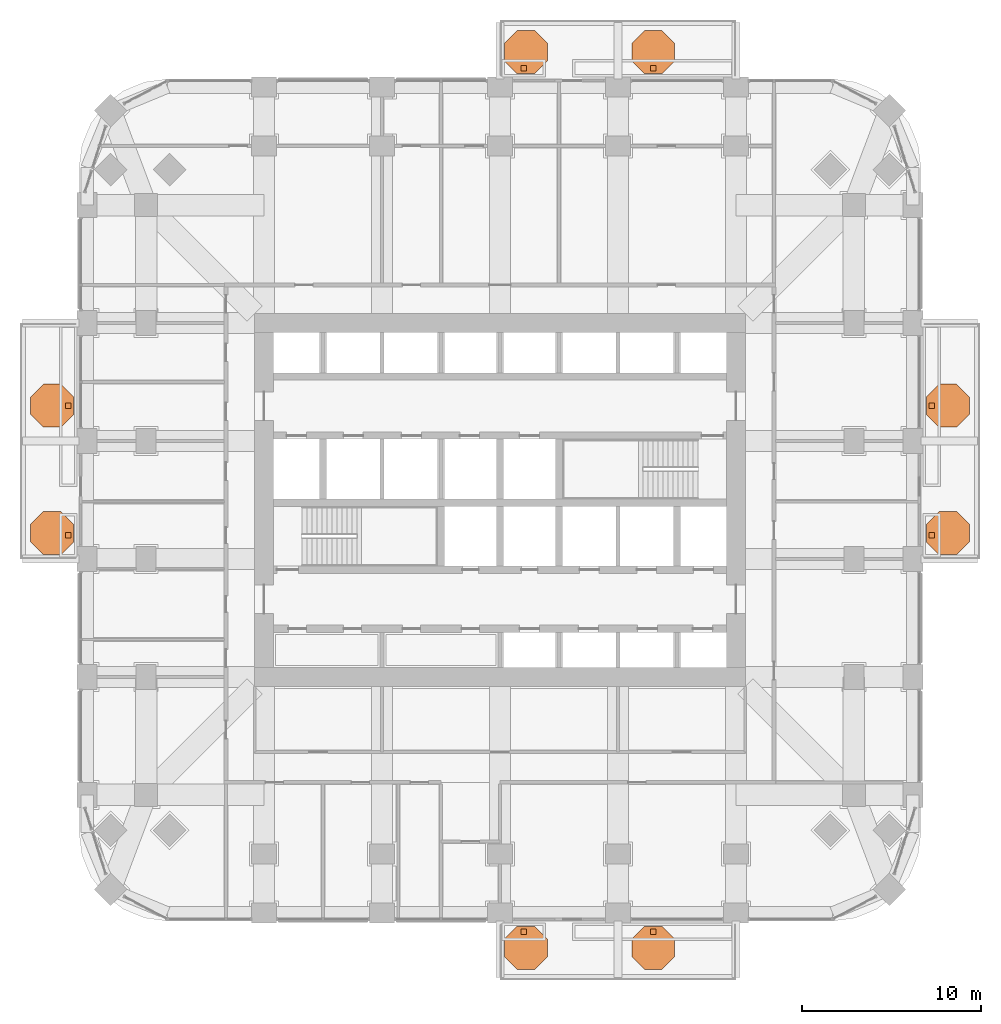
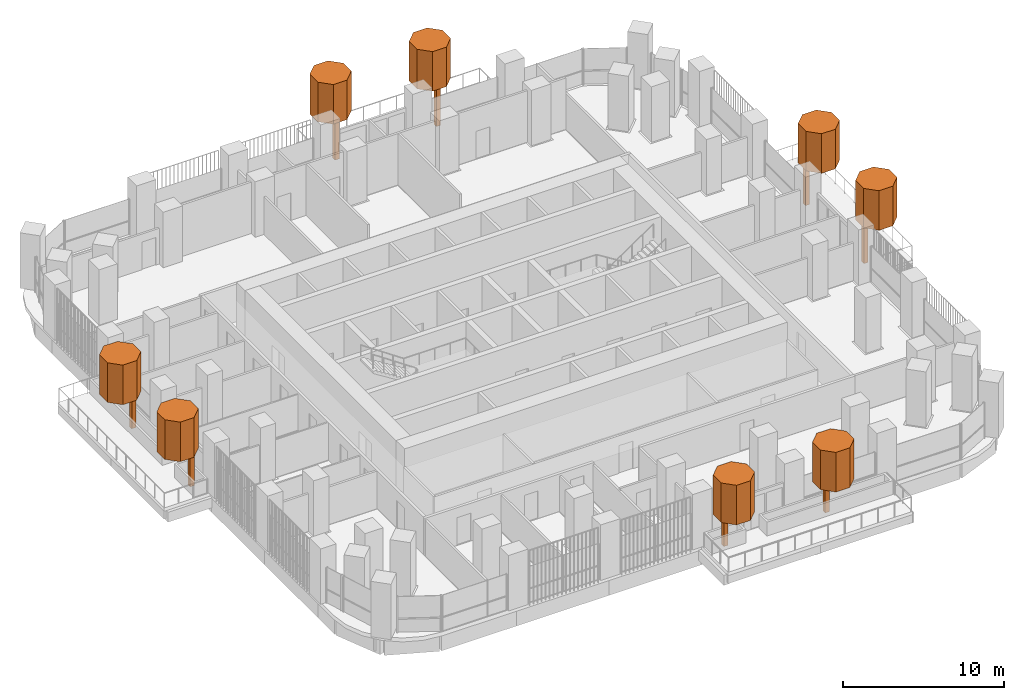
# One storey, part 22 of 22: 16 geographic elements.
"""IFC4 building model written with IfcOpenShell, lengths in metres."""

from ifc_helpers import new_model, si_unit, direction, frame, origin, origin_2d, place, context, subcontext, project, spatial, polyline, rectangle, outline, extrude, material, type_object, element, save


model = new_model("IFC4")

# Units and contexts
model_context = context("Model", 3, precision=1e-05, world=origin(), true_north=direction((0.0, 1.0)))
body_context = subcontext(model_context, "Body", "Model", "MODEL_VIEW")
ifc_project = project(units=[si_unit("LENGTHUNIT", "METRE"), si_unit("AREAUNIT", "SQUARE_METRE"), si_unit("VOLUMEUNIT", "CUBIC_METRE"), si_unit("PLANEANGLEUNIT", "RADIAN"), si_unit("MASSUNIT", "GRAM", prefix="KILO")], contexts=[model_context])

# Site, building, storey
site_placement = place(None, origin())
site = spatial("IfcSite", under=ifc_project, at=site_placement, CompositionType="ELEMENT")
building_placement = place(site_placement, origin())
building = spatial("IfcBuilding", under=site, at=building_placement, Name="Cobogo Forest Laboratory Tower", CompositionType="ELEMENT")
storey_placement = place(building_placement, frame((0.0, 0.0, 111.60009765625)))
storey = spatial("IfcBuildingStorey", under=building, at=storey_placement, Name="L25", CompositionType="ELEMENT", Elevation=111.60009765625)

# Geographic elements
ifc_material = material(Name="Planting", Category="plant")
geographic_element_type_1 = type_object("IfcGeographicElementType", Name="Tree trunk 300", PredefinedType="USERDEFINED", material=ifc_material)
for number, where, z_axis, x_axis, name in (
    (1, (27.72509765625, -1.050048828125, 0.0), (0.0, 0.0, 1.0), (1.0, 0.0, 0.0), "Tree trunk BAL-S1-PL1 L25"),
    (2, (34.97509765625, -1.050048828125, 0.0), (0.0, 0.0, 1.0), (1.0, 0.0, 0.0), "Tree trunk BAL-S1-PL2 L25"),
    (3, (50.550048828125, 21.125, 0.0), (0.0, 0.0, 1.0), (1.0, 0.0, 0.0), "Tree trunk BAL-E1-PL1 L25"),
    (4, (50.550048828125, 28.375, 0.0), (0.0, 0.0, 1.0), (1.0, 0.0, 0.0), "Tree trunk BAL-E1-PL2 L25"),
    (5, (27.72509765625, 47.25, 0.0), (0.0, 0.0, 1.0), (1.0, 0.0, 0.0), "Tree trunk BAL-N1-PL1 L25"),
    (6, (34.97509765625, 47.25, 0.0), (0.0, 0.0, 1.0), (1.0, 0.0, 0.0), "Tree trunk BAL-N1-PL2 L25"),
    (7, (2.25, 21.125, 0.0), (0.0, 0.0, 1.0), (1.0, 0.0, 0.0), "Tree trunk BAL-W1-PL1 L25"),
    (8, (2.25, 28.375, 0.0), (0.0, 0.0, 1.0), (1.0, 0.0, 0.0), "Tree trunk BAL-W1-PL2 L25"),
):
    element("IfcGeographicElement", number, at=place(storey_placement, frame(where, z_axis=z_axis, x_axis=x_axis)), inside=storey, type_object=geographic_element_type_1, Name=name, ObjectType="TREE TRUNK", PredefinedType="USERDEFINED", context=body_context, shape_type="SweptSolid", body=[
        extrude(rectangle(XDim=0.300048828125, YDim=0.300048828125, at=origin_2d()), origin(), (0.0, 0.0, 1.0), 2.89990234375),
    ])
geographic_element_type_2 = type_object("IfcGeographicElementType", Name="Tree, holm oak 5 m", PredefinedType="USERDEFINED", material=ifc_material)
geographic_element_1_placement = place(storey_placement, frame((0.0, 0.0, 2.89990234375)))
element("IfcGeographicElement", 9, at=geographic_element_1_placement, inside=storey, type_object=geographic_element_type_2, Name="Holm tree BAL-S1-PL1 L25", ObjectType="TREE", PredefinedType="USERDEFINED", context=body_context, shape_type="SweptSolid", body=[
    extrude(outline(polyline([(29.050048828125, -2.447021484375), (29.050048828125, -1.452880859375), (28.34716796875, -0.75), (27.35302734375, -0.75), (26.64990234375, -1.452880859375), (26.64990234375, -2.447021484375), (27.35302734375, -3.14990234375), (28.34716796875, -3.14990234375), (29.050048828125, -2.447021484375)])), origin(), (0.0, 0.0, 1.0), 3.0),
])
geographic_element_2_placement = place(storey_placement, frame((0.0, 0.0, 2.89990234375)))
element("IfcGeographicElement", 10, at=geographic_element_2_placement, inside=storey, type_object=geographic_element_type_2, Name="Holm tree BAL-S1-PL2 L25", ObjectType="TREE", PredefinedType="USERDEFINED", context=body_context, shape_type="SweptSolid", body=[
    extrude(outline(polyline([(36.175048828125, -2.447021484375), (36.175048828125, -1.452880859375), (35.47216796875, -0.75), (34.47802734375, -0.75), (33.77490234375, -1.452880859375), (33.77490234375, -2.447021484375), (34.47802734375, -3.14990234375), (35.47216796875, -3.14990234375), (36.175048828125, -2.447021484375)])), origin(), (0.0, 0.0, 1.0), 3.0),
])
geographic_element_3_placement = place(storey_placement, frame((0.0, 0.0, 2.89990234375)))
element("IfcGeographicElement", 11, at=geographic_element_3_placement, inside=storey, type_object=geographic_element_type_2, Name="Holm tree BAL-E1-PL1 L25", ObjectType="TREE", PredefinedType="USERDEFINED", context=body_context, shape_type="SweptSolid", body=[
    extrude(outline(polyline([(52.64990234375, 20.7529296875), (52.64990234375, 21.7470703125), (51.947021484375, 22.449951171875), (50.952880859375, 22.449951171875), (50.25, 21.7470703125), (50.25, 20.7529296875), (50.952880859375, 20.050048828125), (51.947021484375, 20.050048828125), (52.64990234375, 20.7529296875)])), origin(), (0.0, 0.0, 1.0), 3.0),
])
geographic_element_4_placement = place(storey_placement, frame((0.0, 0.0, 2.89990234375)))
element("IfcGeographicElement", 12, at=geographic_element_4_placement, inside=storey, type_object=geographic_element_type_2, Name="Holm tree BAL-E1-PL2 L25", ObjectType="TREE", PredefinedType="USERDEFINED", context=body_context, shape_type="SweptSolid", body=[
    extrude(outline(polyline([(52.64990234375, 27.8779296875), (52.64990234375, 28.8720703125), (51.947021484375, 29.574951171875), (50.952880859375, 29.574951171875), (50.25, 28.8720703125), (50.25, 27.8779296875), (50.952880859375, 27.175048828125), (51.947021484375, 27.175048828125), (52.64990234375, 27.8779296875)])), origin(), (0.0, 0.0, 1.0), 3.0),
])
geographic_element_5_placement = place(storey_placement, frame((0.0, 0.0, 2.89990234375)))
element("IfcGeographicElement", 13, at=geographic_element_5_placement, inside=storey, type_object=geographic_element_type_2, Name="Holm tree BAL-N1-PL1 L25", ObjectType="TREE", PredefinedType="USERDEFINED", context=body_context, shape_type="SweptSolid", body=[
    extrude(outline(polyline([(29.050048828125, 47.65283203125), (29.050048828125, 48.64697265625), (28.34716796875, 49.35009765625), (27.35302734375, 49.35009765625), (26.64990234375, 48.64697265625), (26.64990234375, 47.65283203125), (27.35302734375, 46.949951171875), (28.34716796875, 46.949951171875), (29.050048828125, 47.65283203125)])), origin(), (0.0, 0.0, 1.0), 3.0),
])
geographic_element_6_placement = place(storey_placement, frame((0.0, 0.0, 2.89990234375)))
element("IfcGeographicElement", 14, at=geographic_element_6_placement, inside=storey, type_object=geographic_element_type_2, Name="Holm tree BAL-N1-PL2 L25", ObjectType="TREE", PredefinedType="USERDEFINED", context=body_context, shape_type="SweptSolid", body=[
    extrude(outline(polyline([(36.175048828125, 47.65283203125), (36.175048828125, 48.64697265625), (35.47216796875, 49.35009765625), (34.47802734375, 49.35009765625), (33.77490234375, 48.64697265625), (33.77490234375, 47.65283203125), (34.47802734375, 46.949951171875), (35.47216796875, 46.949951171875), (36.175048828125, 47.65283203125)])), origin(), (0.0, 0.0, 1.0), 3.0),
])
geographic_element_7_placement = place(storey_placement, frame((0.0, 0.0, 2.89990234375)))
element("IfcGeographicElement", 15, at=geographic_element_7_placement, inside=storey, type_object=geographic_element_type_2, Name="Holm tree BAL-W1-PL1 L25", ObjectType="TREE", PredefinedType="USERDEFINED", context=body_context, shape_type="SweptSolid", body=[
    extrude(outline(polyline([(2.550048828125, 20.7529296875), (2.550048828125, 21.7470703125), (1.84716796875, 22.449951171875), (0.85302734375, 22.449951171875), (0.14990234375, 21.7470703125), (0.14990234375, 20.7529296875), (0.85302734375, 20.050048828125), (1.84716796875, 20.050048828125), (2.550048828125, 20.7529296875)])), origin(), (0.0, 0.0, 1.0), 3.0),
])
geographic_element_8_placement = place(storey_placement, frame((0.0, 0.0, 2.89990234375)))
element("IfcGeographicElement", 16, at=geographic_element_8_placement, inside=storey, type_object=geographic_element_type_2, Name="Holm tree BAL-W1-PL2 L25", ObjectType="TREE", PredefinedType="USERDEFINED", context=body_context, shape_type="SweptSolid", body=[
    extrude(outline(polyline([(2.550048828125, 27.8779296875), (2.550048828125, 28.8720703125), (1.84716796875, 29.574951171875), (0.85302734375, 29.574951171875), (0.14990234375, 28.8720703125), (0.14990234375, 27.8779296875), (0.85302734375, 27.175048828125), (1.84716796875, 27.175048828125), (2.550048828125, 27.8779296875)])), origin(), (0.0, 0.0, 1.0), 3.0),
])

save(model, "model.ifc")
